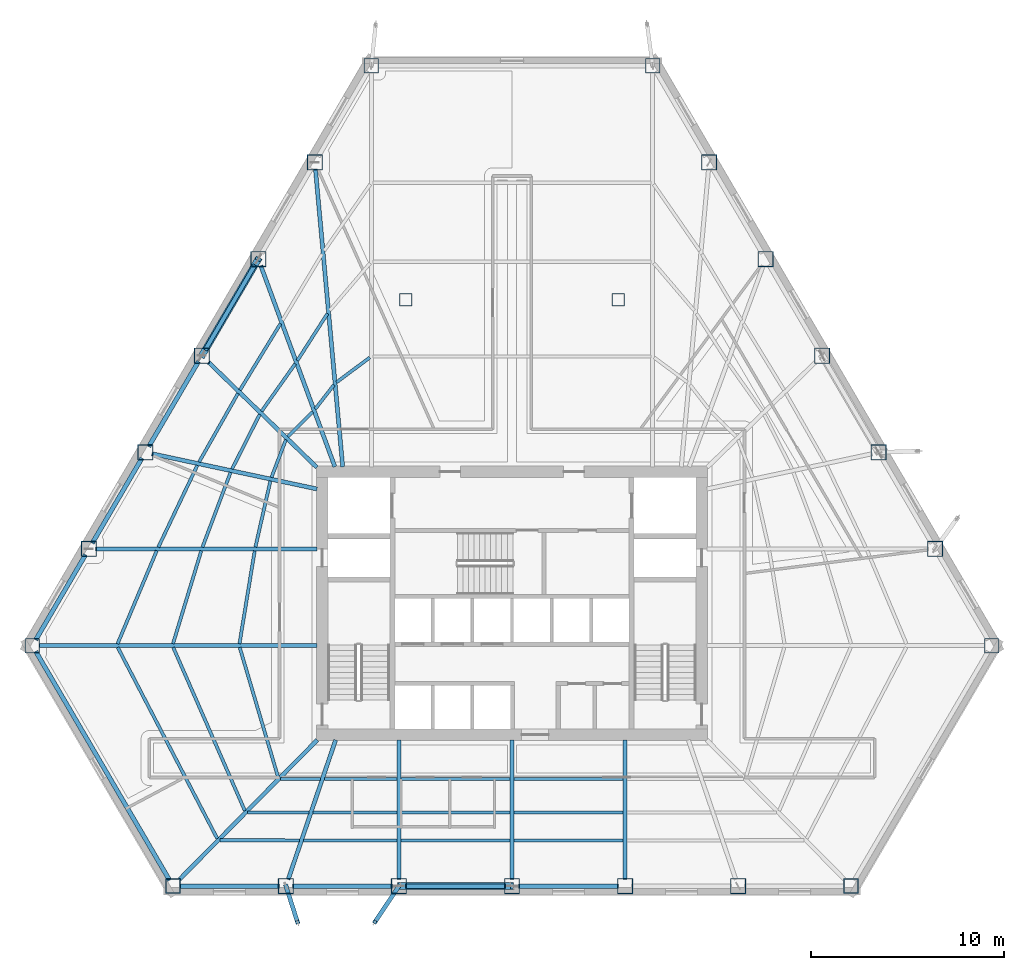
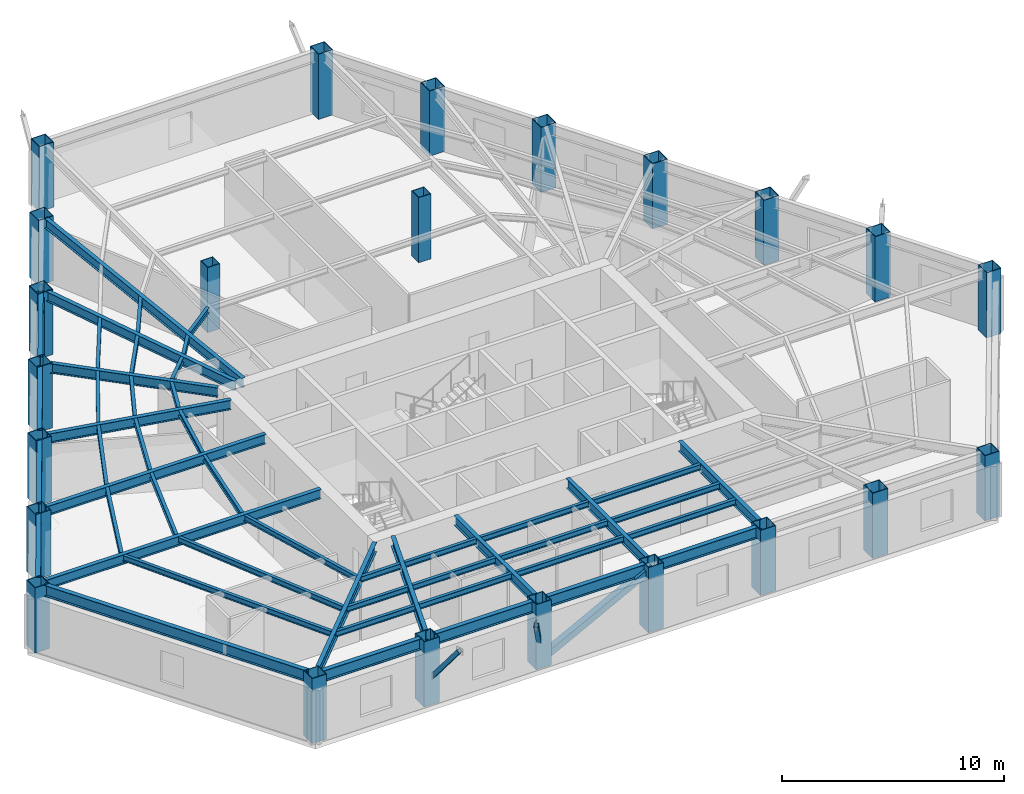
# One storey, part 1 of 13: 50 beams, 23 columns, 4 members.
"""IFC4 building model written with IfcOpenShell, lengths in metres."""

from ifc_helpers import new_model, si_unit, direction, frame, origin, origin_2d, place, context, subcontext, project, spatial, hollow_rectangle, i_section, extrude, material, material_profile, profile_set, type_object, element, save


model = new_model("IFC4")

# Units and contexts
model_context = context("Model", 3, precision=1e-05, world=origin(), true_north=direction((0.0, 1.0)))
body_context = subcontext(model_context, "Body", "Model", "MODEL_VIEW")
ifc_project = project(units=[si_unit("LENGTHUNIT", "METRE"), si_unit("AREAUNIT", "SQUARE_METRE"), si_unit("VOLUMEUNIT", "CUBIC_METRE"), si_unit("PLANEANGLEUNIT", "RADIAN"), si_unit("MASSUNIT", "GRAM", prefix="KILO")], contexts=[model_context])

# Site, building, storey
site_placement = place(None, origin())
site = spatial("IfcSite", under=ifc_project, at=site_placement, CompositionType="ELEMENT")
building_placement = place(site_placement, origin())
building = spatial("IfcBuilding", under=site, at=building_placement, Name="Kavelnor Concourse Tower", CompositionType="ELEMENT")
storey_placement = place(building_placement, frame((0.0, 0.0, 59.89990234375)))
storey = spatial("IfcBuildingStorey", under=building, at=storey_placement, Name="L15", CompositionType="ELEMENT", Elevation=59.89990234375)

# Columns
ifc_material = material(Name="Steel Grade 350", Category="steel")
ifc_material_profile_1 = material_profile(ifc_material, hollow_rectangle(XDim=0.760009765625, YDim=0.760009765625, WallThickness=0.034912109375, at=origin_2d()), Name="SHS 760x760x35")
ifc_profile_set_1 = profile_set([ifc_material_profile_1], Name="Steel Grade 350")
column_type_1 = type_object("IfcColumnType", Name="COL-FOLD-Z1", PredefinedType="COLUMN", material=ifc_profile_set_1)
for number, where, z_axis, x_axis, name in (
    (1, (30.7265625, 43.893798828125, 0.0), (0.0, 0.0, 1.0), (1.0, 0.0, 0.0), "L15 Perimeter Corner-Fold Column F0-B0"),
    (2, (13.199951171875, 13.91455078125, 0.0), (0.0, 0.0, 1.0), (1.0, 0.0, 0.0), "L15 Perimeter Corner-Fold Column F0-B6"),
    (3, (20.468017578125, 1.482421875, 0.0), (0.0, 0.0, 1.0), (1.0, 0.0, 0.0), "L15 Perimeter Corner-Fold Column F1-B0"),
    (4, (55.531982421875, 1.482421875, 0.0), (0.0, 0.0, 1.0), (1.0, 0.0, 0.0), "L15 Perimeter Corner-Fold Column F1-B6"),
    (5, (62.800048828125, 13.91455078125, 0.0), (0.0, 0.0, 1.0), (1.0, 0.0, 0.0), "L15 Perimeter Corner-Fold Column F2-B0"),
    (6, (45.2734375, 43.893798828125, 0.0), (0.0, 0.0, 1.0), (1.0, 0.0, 0.0), "L15 Perimeter Corner-Fold Column F2-B6"),
):
    element("IfcColumn", number, at=place(storey_placement, frame(where, z_axis=z_axis, x_axis=x_axis)), inside=storey, type_object=column_type_1, Name=name, PredefinedType="COLUMN", context=body_context, shape_type="SweptSolid", body=[
        extrude(hollow_rectangle(XDim=0.760009765625, YDim=0.760009765625, WallThickness=0.034912109375, at=origin_2d()), origin(), (0.0, 0.0, 1.0), 3.590087890625),
    ])
ifc_material_profile_2 = material_profile(ifc_material, hollow_rectangle(XDim=0.800048828125, YDim=0.800048828125, WallThickness=0.035888671875, at=origin_2d()), Name="SHS 800x800x36")
ifc_profile_set_2 = profile_set([ifc_material_profile_2], Name="Steel Grade 350")
column_type_2 = type_object("IfcColumnType", Name="COL-TUBE-Z1", PredefinedType="COLUMN", material=ifc_profile_set_2)
for number, where, z_axis, x_axis, name in (
    (7, (27.805419921875, 38.897216796875, 0.0), (0.0, 0.0, 1.0), (1.0, 0.0, 0.0), "L15 Perimeter Framed-Tube Column F0-B1"),
    (8, (24.884521484375, 33.900634765625, 0.0), (0.0, 0.0, 1.0), (1.0, 0.0, 0.0), "L15 Perimeter Framed-Tube Column F0-B2"),
    (9, (21.96337890625, 28.904296875, 0.0), (0.0, 0.0, 1.0), (1.0, 0.0, 0.0), "L15 Perimeter Framed-Tube Column F0-B3"),
    (10, (19.0419921875, 23.90771484375, 0.0), (0.0, 0.0, 1.0), (1.0, 0.0, 0.0), "L15 Perimeter Framed-Tube Column F0-B4"),
    (11, (16.12109375, 18.910888671875, 0.0), (0.0, 0.0, 1.0), (1.0, 0.0, 0.0), "L15 Perimeter Framed-Tube Column F0-B5"),
    (12, (26.31201171875, 1.482421875, 0.0), (0.0, 0.0, 1.0), (1.0, 0.0, 0.0), "L15 Perimeter Framed-Tube Column F1-B1"),
    (13, (32.156005859375, 1.482421875, 0.0), (0.0, 0.0, 1.0), (1.0, 0.0, 0.0), "L15 Perimeter Framed-Tube Column F1-B2"),
    (14, (38.0, 1.482421875, 0.0), (0.0, 0.0, 1.0), (1.0, 0.0, 0.0), "L15 Perimeter Framed-Tube Column F1-B3"),
    (15, (43.843994140625, 1.482421875, 0.0), (0.0, 0.0, 1.0), (1.0, 0.0, 0.0), "L15 Perimeter Framed-Tube Column F1-B4"),
    (16, (49.68798828125, 1.482421875, 0.0), (0.0, 0.0, 1.0), (1.0, 0.0, 0.0), "L15 Perimeter Framed-Tube Column F1-B5"),
    (17, (59.87890625, 18.910888671875, 0.0), (0.0, 0.0, 1.0), (1.0, 0.0, 0.0), "L15 Perimeter Framed-Tube Column F2-B1"),
    (18, (56.9580078125, 23.90771484375, 0.0), (0.0, 0.0, 1.0), (1.0, 0.0, 0.0), "L15 Perimeter Framed-Tube Column F2-B2"),
    (19, (54.03662109375, 28.904296875, 0.0), (0.0, 0.0, 1.0), (1.0, 0.0, 0.0), "L15 Perimeter Framed-Tube Column F2-B3"),
    (20, (51.115478515625, 33.900634765625, 0.0), (0.0, 0.0, 1.0), (1.0, 0.0, 0.0), "L15 Perimeter Framed-Tube Column F2-B4"),
    (21, (48.194580078125, 38.897216796875, 0.0), (0.0, 0.0, 1.0), (1.0, 0.0, 0.0), "L15 Perimeter Framed-Tube Column F2-B5"),
):
    element("IfcColumn", number, at=place(storey_placement, frame(where, z_axis=z_axis, x_axis=x_axis)), inside=storey, type_object=column_type_2, Name=name, PredefinedType="COLUMN", context=body_context, shape_type="SweptSolid", body=[
        extrude(hollow_rectangle(XDim=0.800048828125, YDim=0.800048828125, WallThickness=0.035888671875, at=origin_2d()), origin(), (0.0, 0.0, 1.0), 3.590087890625),
    ])
ifc_material_profile_3 = material_profile(ifc_material, hollow_rectangle(XDim=0.639892578125, YDim=0.639892578125, WallThickness=0.028076171875, at=origin_2d()), Name="SHS 640x640x28")
ifc_profile_set_3 = profile_set([ifc_material_profile_3], Name="Steel Grade 350")
column_type_3 = type_object("IfcColumnType", Name="COL-TUBE-Z3", PredefinedType="COLUMN", material=ifc_profile_set_3)
for number, where, z_axis, x_axis, name in (
    (22, (32.5, 31.800048828125, 0.0), (0.0, 0.0, 1.0), (1.0, 0.0, 0.0), "L15 North Interior Gravity Column BC-NW"),
    (23, (43.5, 31.800048828125, 0.0), (0.0, 0.0, 1.0), (1.0, 0.0, 0.0), "L15 North Interior Gravity Column BC-NE"),
):
    element("IfcColumn", number, at=place(storey_placement, frame(where, z_axis=z_axis, x_axis=x_axis)), inside=storey, type_object=column_type_3, Name=name, PredefinedType="COLUMN", context=body_context, shape_type="SweptSolid", body=[
        extrude(hollow_rectangle(XDim=0.639892578125, YDim=0.639892578125, WallThickness=0.028076171875, at=origin_2d()), origin(), (0.0, 0.0, 1.0), 3.590087890625),
    ])

# Beams
ifc_material_profile_4 = material_profile(ifc_material, i_section(OverallWidth=0.166015625, OverallDepth=0.306884765625, WebThickness=0.006591796875, FlangeThickness=0.01171875, at=origin_2d()), Name="310UB46")
ifc_profile_set_4 = profile_set([ifc_material_profile_4], Name="Steel Grade 350")
beam_type_1 = type_object("IfcBeamType", Name="BM-JOIST-310", PredefinedType="JOIST", material=ifc_profile_set_4)
beam_1_placement = place(storey_placement, frame((23.92138671875, 13.820068359375, 3.4365234375), z_axis=(0.283688073885, -0.958916616154, 0.0), x_axis=(0.958916616154, 0.283688073885, 0.0)))
element("IfcBeam", 24, at=beam_1_placement, inside=storey, type_object=beam_type_1, Name="L15 Secondary Composite Joist 01-1", PredefinedType="JOIST", context=body_context, shape_type="SweptSolid", body=[
    extrude(i_section(OverallWidth=0.166015625, OverallDepth=0.306884765625, WebThickness=0.006591796875, FlangeThickness=0.01171875, at=origin_2d()), origin(), (0.0, 0.0, 1.0), 6.999267578125),
])
beam_2_placement = place(storey_placement, frame((20.48193359375, 13.82421875, 3.4365234375), z_axis=(0.401848798596, -0.91570603529, 0.0), x_axis=(0.91570603529, 0.401848798596, 0.0)))
element("IfcBeam", 25, at=beam_2_placement, inside=storey, type_object=beam_type_1, Name="L15 Secondary Composite Joist 01-2", PredefinedType="JOIST", context=body_context, shape_type="SweptSolid", body=[
    extrude(i_section(OverallWidth=0.166015625, OverallDepth=0.306884765625, WebThickness=0.006591796875, FlangeThickness=0.01171875, at=origin_2d()), origin(), (0.0, 0.0, 1.0), 9.224365234375),
])
beam_3_placement = place(storey_placement, frame((17.61181640625, 13.8271484375, 3.4365234375), z_axis=(0.461735279655, -0.887017774073, 0.0), x_axis=(0.887017774073, 0.461735279655, 0.0)))
element("IfcBeam", 26, at=beam_3_placement, inside=storey, type_object=beam_type_1, Name="L15 Secondary Composite Joist 01-3", PredefinedType="JOIST", context=body_context, shape_type="SweptSolid", body=[
    extrude(i_section(OverallWidth=0.166015625, OverallDepth=0.306884765625, WebThickness=0.006591796875, FlangeThickness=0.01171875, at=origin_2d()), origin(), (0.0, 0.0, 1.0), 11.1513671875),
])
beam_4_placement = place(storey_placement, frame((26.033203125, 7.01416015625, 3.4365234375), z_axis=(0.999998208623, 0.001892815727, 0.0), x_axis=(-0.001892815727, 0.999998208623, 0.0)))
element("IfcBeam", 27, at=beam_4_placement, inside=storey, type_object=beam_type_1, Name="L15 Secondary Composite Joist 02-1", PredefinedType="JOIST", context=body_context, shape_type="SweptSolid", body=[
    extrude(i_section(OverallWidth=0.166015625, OverallDepth=0.306884765625, WebThickness=0.006591796875, FlangeThickness=0.01171875, at=origin_2d()), origin(), (0.0, 0.0, 1.0), 2.063720703125),
])
beam_5_placement = place(storey_placement, frame((24.326904296875, 5.287353515625, 3.4365234375), z_axis=(0.999999988218, -0.000153503721, 0.0), x_axis=(0.000153503721, 0.999999988218, 0.0)))
element("IfcBeam", 28, at=beam_5_placement, inside=storey, type_object=beam_type_1, Name="L15 Secondary Composite Joist 02-2", PredefinedType="JOIST", context=body_context, shape_type="SweptSolid", body=[
    extrude(i_section(OverallWidth=0.166015625, OverallDepth=0.306884765625, WebThickness=0.006591796875, FlangeThickness=0.01171875, at=origin_2d()), origin(), (0.0, 0.0, 1.0), 3.180908203125),
])
beam_6_placement = place(storey_placement, frame((22.90478515625, 3.848388671875, 3.4365234375), z_axis=(0.999999490696, -0.001009260944, 0.0), x_axis=(0.001009260944, 0.999999490696, 0.0)))
element("IfcBeam", 29, at=beam_6_placement, inside=storey, type_object=beam_type_1, Name="L15 Secondary Composite Joist 02-3", PredefinedType="JOIST", context=body_context, shape_type="SweptSolid", body=[
    extrude(i_section(OverallWidth=0.166015625, OverallDepth=0.306884765625, WebThickness=0.006591796875, FlangeThickness=0.01171875, at=origin_2d()), origin(), (0.0, 0.0, 1.0), 4.1123046875),
])
beam_7_placement = place(storey_placement, frame((28.2939453125, 7.018310546875, 3.4365234375), z_axis=(0.999999981065, 0.000194603006, 0.0), x_axis=(-0.000194603006, 0.999999981065, 0.0)))
element("IfcBeam", 30, at=beam_7_placement, inside=storey, type_object=beam_type_1, Name="L15 Secondary Composite Joist 03-1", PredefinedType="JOIST", context=body_context, shape_type="SweptSolid", body=[
    extrude(i_section(OverallWidth=0.166015625, OverallDepth=0.306884765625, WebThickness=0.006591796875, FlangeThickness=0.01171875, at=origin_2d()), origin(), (0.0, 0.0, 1.0), 3.763671875),
])
beam_8_placement = place(storey_placement, frame((27.704833984375, 5.286865234375, 3.4365234375), z_axis=(1.0, 0.0, 0.0), x_axis=(0.0, 1.0, 0.0)))
element("IfcBeam", 31, at=beam_8_placement, inside=storey, type_object=beam_type_1, Name="L15 Secondary Composite Joist 03-2", PredefinedType="JOIST", context=body_context, shape_type="SweptSolid", body=[
    extrude(i_section(OverallWidth=0.166015625, OverallDepth=0.306884765625, WebThickness=0.006591796875, FlangeThickness=0.01171875, at=origin_2d()), origin(), (0.0, 0.0, 1.0), 4.352783203125),
])
beam_9_placement = place(storey_placement, frame((27.214111328125, 3.84423828125, 3.4365234375), z_axis=(0.999999979674, -0.000201623062, 0.0), x_axis=(0.000201623062, 0.999999979674, 0.0)))
element("IfcBeam", 32, at=beam_9_placement, inside=storey, type_object=beam_type_1, Name="L15 Secondary Composite Joist 03-3", PredefinedType="JOIST", context=body_context, shape_type="SweptSolid", body=[
    extrude(i_section(OverallWidth=0.166015625, OverallDepth=0.306884765625, WebThickness=0.006591796875, FlangeThickness=0.01171875, at=origin_2d()), origin(), (0.0, 0.0, 1.0), 4.843505859375),
])
for number, where, z_axis, x_axis, name in (
    (33, (32.25439453125, 7.01904296875, 3.4365234375), (1.0, 0.0, 0.0), (0.0, 1.0, 0.0), "L15 Secondary Composite Joist 04-1"),
    (34, (32.25439453125, 5.286865234375, 3.4365234375), (1.0, 0.0, 0.0), (0.0, 1.0, 0.0), "L15 Secondary Composite Joist 04-2"),
    (35, (32.25439453125, 3.84326171875, 3.4365234375), (1.0, 0.0, 0.0), (0.0, 1.0, 0.0), "L15 Secondary Composite Joist 04-3"),
    (36, (38.098388671875, 7.01904296875, 3.4365234375), (1.0, 0.0, 0.0), (0.0, 1.0, 0.0), "L15 Secondary Composite Joist 05-1"),
    (37, (38.098388671875, 5.286865234375, 3.4365234375), (1.0, 0.0, 0.0), (0.0, 1.0, 0.0), "L15 Secondary Composite Joist 05-2"),
    (38, (38.098388671875, 3.84326171875, 3.4365234375), (1.0, 0.0, 0.0), (0.0, 1.0, 0.0), "L15 Secondary Composite Joist 05-3"),
):
    element("IfcBeam", number, at=place(storey_placement, frame(where, z_axis=z_axis, x_axis=x_axis)), inside=storey, type_object=beam_type_1, Name=name, PredefinedType="JOIST", context=body_context, shape_type="SweptSolid", body=[
        extrude(i_section(OverallWidth=0.166015625, OverallDepth=0.306884765625, WebThickness=0.006591796875, FlangeThickness=0.01171875, at=origin_2d()), origin(), (0.0, 0.0, 1.0), 5.647216796875),
    ])
beam_10_placement = place(storey_placement, frame((30.647705078125, 28.811279296875, 3.4365234375), z_axis=(-0.80155619785, -0.597919444146, 0.0), x_axis=(0.597919444146, -0.80155619785, 0.0)))
element("IfcBeam", 39, at=beam_10_placement, inside=storey, type_object=beam_type_1, Name="L15 Secondary Composite Joist 16-1", PredefinedType="JOIST", context=body_context, shape_type="SweptSolid", body=[
    extrude(i_section(OverallWidth=0.166015625, OverallDepth=0.306884765625, WebThickness=0.006591796875, FlangeThickness=0.01171875, at=origin_2d()), origin(), (0.0, 0.0, 1.0), 2.142333984375),
])
beam_11_placement = place(storey_placement, frame((28.791259765625, 27.393310546875, 3.4365234375), z_axis=(-0.612455179326, -0.790505315173, 0.0), x_axis=(0.790505315173, -0.612455179326, 0.0)))
element("IfcBeam", 40, at=beam_11_placement, inside=storey, type_object=beam_type_1, Name="L15 Secondary Composite Joist 17-1", PredefinedType="JOIST", context=body_context, shape_type="SweptSolid", body=[
    extrude(i_section(OverallWidth=0.166015625, OverallDepth=0.306884765625, WebThickness=0.006591796875, FlangeThickness=0.01171875, at=origin_2d()), origin(), (0.0, 0.0, 1.0), 1.5712890625),
])
beam_12_placement = place(storey_placement, frame((28.460205078125, 31.08349609375, 3.4365234375), z_axis=(-0.539334286911, -0.842091756855, 0.0), x_axis=(0.842091756855, -0.539334286911, 0.0)))
element("IfcBeam", 41, at=beam_12_placement, inside=storey, type_object=beam_type_1, Name="L15 Secondary Composite Joist 17-2", PredefinedType="JOIST", context=body_context, shape_type="SweptSolid", body=[
    extrude(i_section(OverallWidth=0.166015625, OverallDepth=0.306884765625, WebThickness=0.006591796875, FlangeThickness=0.01171875, at=origin_2d()), origin(), (0.0, 0.0, 1.0), 2.888427734375),
])
beam_13_placement = place(storey_placement, frame((27.69873046875, 26.003662109375, 3.4365234375), z_axis=(-0.707979461458, -0.706233022559, 0.0), x_axis=(0.706233022559, -0.707979461458, 0.0)))
element("IfcBeam", 42, at=beam_13_placement, inside=storey, type_object=beam_type_1, Name="L15 Secondary Composite Joist 18-1", PredefinedType="JOIST", context=body_context, shape_type="SweptSolid", body=[
    extrude(i_section(OverallWidth=0.166015625, OverallDepth=0.306884765625, WebThickness=0.006591796875, FlangeThickness=0.01171875, at=origin_2d()), origin(), (0.0, 0.0, 1.0), 1.8173828125),
])
beam_14_placement = place(storey_placement, frame((26.792236328125, 28.48779296875, 3.4365234375), z_axis=(-0.577643036507, -0.81628948442, 0.0), x_axis=(0.81628948442, -0.577643036507, 0.0)))
element("IfcBeam", 43, at=beam_14_placement, inside=storey, type_object=beam_type_1, Name="L15 Secondary Composite Joist 18-2", PredefinedType="JOIST", context=body_context, shape_type="SweptSolid", body=[
    extrude(i_section(OverallWidth=0.166015625, OverallDepth=0.306884765625, WebThickness=0.006591796875, FlangeThickness=0.01171875, at=origin_2d()), origin(), (0.0, 0.0, 1.0), 3.004638671875),
])
beam_15_placement = place(storey_placement, frame((26.03173828125, 30.563232421875, 3.4365234375), z_axis=(-0.521182756424, -0.853445097477, 0.0), x_axis=(0.853445097477, -0.521182756424, 0.0)))
element("IfcBeam", 44, at=beam_15_placement, inside=storey, type_object=beam_type_1, Name="L15 Secondary Composite Joist 18-3", PredefinedType="JOIST", context=body_context, shape_type="SweptSolid", body=[
    extrude(i_section(OverallWidth=0.166015625, OverallDepth=0.306884765625, WebThickness=0.006591796875, FlangeThickness=0.01171875, at=origin_2d()), origin(), (0.0, 0.0, 1.0), 4.028076171875),
])
beam_16_placement = place(storey_placement, frame((26.30712890625, 24.55859375, 3.4365234375), z_axis=(-0.356965881826, -0.934117422604, 0.0), x_axis=(0.934117422604, -0.356965881826, 0.0)))
element("IfcBeam", 45, at=beam_16_placement, inside=storey, type_object=beam_type_1, Name="L15 Secondary Composite Joist 19-1", PredefinedType="JOIST", context=body_context, shape_type="SweptSolid", body=[
    extrude(i_section(OverallWidth=0.166015625, OverallDepth=0.306884765625, WebThickness=0.006591796875, FlangeThickness=0.01171875, at=origin_2d()), origin(), (0.0, 0.0, 1.0), 2.081298828125),
])
beam_17_placement = place(storey_placement, frame((24.955078125, 25.866943359375, 3.4365234375), z_axis=(-0.452395721461, -0.891817308199, 0.0), x_axis=(0.891817308199, -0.452395721461, 0.0)))
element("IfcBeam", 46, at=beam_17_placement, inside=storey, type_object=beam_type_1, Name="L15 Secondary Composite Joist 19-2", PredefinedType="JOIST", context=body_context, shape_type="SweptSolid", body=[
    extrude(i_section(OverallWidth=0.166015625, OverallDepth=0.306884765625, WebThickness=0.006591796875, FlangeThickness=0.01171875, at=origin_2d()), origin(), (0.0, 0.0, 1.0), 3.161376953125),
])
beam_18_placement = place(storey_placement, frame((23.83251953125, 26.955810546875, 3.4365234375), z_axis=(-0.493298169198, -0.869860285486, 0.0), x_axis=(0.869860285486, -0.493298169198, 0.0)))
element("IfcBeam", 47, at=beam_18_placement, inside=storey, type_object=beam_type_1, Name="L15 Secondary Composite Joist 19-3", PredefinedType="JOIST", context=body_context, shape_type="SweptSolid", body=[
    extrude(i_section(OverallWidth=0.166015625, OverallDepth=0.306884765625, WebThickness=0.006591796875, FlangeThickness=0.01171875, at=origin_2d()), origin(), (0.0, 0.0, 1.0), 4.076171875),
])
beam_19_placement = place(storey_placement, frame((25.507080078125, 22.42626953125, 3.4365234375), z_axis=(-0.220763156499, -0.975327446929, 0.0), x_axis=(0.975327446929, -0.220763156499, 0.0)))
element("IfcBeam", 48, at=beam_19_placement, inside=storey, type_object=beam_type_1, Name="L15 Secondary Composite Joist 20-1", PredefinedType="JOIST", context=body_context, shape_type="SweptSolid", body=[
    extrude(i_section(OverallWidth=0.166015625, OverallDepth=0.306884765625, WebThickness=0.006591796875, FlangeThickness=0.01171875, at=origin_2d()), origin(), (0.0, 0.0, 1.0), 3.505615234375),
])
beam_20_placement = place(storey_placement, frame((23.44580078125, 22.86767578125, 3.4365234375), z_axis=(-0.351285488189, -0.936268394098, 0.0), x_axis=(0.936268394098, -0.351285488189, 0.0)))
element("IfcBeam", 49, at=beam_20_placement, inside=storey, type_object=beam_type_1, Name="L15 Secondary Composite Joist 20-2", PredefinedType="JOIST", context=body_context, shape_type="SweptSolid", body=[
    extrude(i_section(OverallWidth=0.166015625, OverallDepth=0.306884765625, WebThickness=0.006591796875, FlangeThickness=0.01171875, at=origin_2d()), origin(), (0.0, 0.0, 1.0), 4.12744140625),
])
beam_21_placement = place(storey_placement, frame((21.730712890625, 23.235595703125, 3.4365234375), z_axis=(-0.430254691254, -0.902707538827, 0.0), x_axis=(0.902707538827, -0.430254691254, 0.0)))
element("IfcBeam", 50, at=beam_21_placement, inside=storey, type_object=beam_type_1, Name="L15 Secondary Composite Joist 20-3", PredefinedType="JOIST", context=body_context, shape_type="SweptSolid", body=[
    extrude(i_section(OverallWidth=0.166015625, OverallDepth=0.306884765625, WebThickness=0.006591796875, FlangeThickness=0.01171875, at=origin_2d()), origin(), (0.0, 0.0, 1.0), 4.692138671875),
])
beam_22_placement = place(storey_placement, frame((24.695556640625, 18.813720703125, 3.4365234375), z_axis=(-0.161558755717, -0.98686309509, 0.0), x_axis=(0.98686309509, -0.161558755717, 0.0)))
element("IfcBeam", 51, at=beam_22_placement, inside=storey, type_object=beam_type_1, Name="L15 Secondary Composite Joist 21-1", PredefinedType="JOIST", context=body_context, shape_type="SweptSolid", body=[
    extrude(i_section(OverallWidth=0.166015625, OverallDepth=0.306884765625, WebThickness=0.006591796875, FlangeThickness=0.01171875, at=origin_2d()), origin(), (0.0, 0.0, 1.0), 4.865966796875),
])
beam_23_placement = place(storey_placement, frame((21.9326171875, 18.81689453125, 3.4365234375), z_axis=(-0.290858092151, -0.956766204582, 0.0), x_axis=(0.956766204582, -0.290858092151, 0.0)))
element("IfcBeam", 52, at=beam_23_placement, inside=storey, type_object=beam_type_1, Name="L15 Secondary Composite Joist 21-2", PredefinedType="JOIST", context=body_context, shape_type="SweptSolid", body=[
    extrude(i_section(OverallWidth=0.166015625, OverallDepth=0.306884765625, WebThickness=0.006591796875, FlangeThickness=0.01171875, at=origin_2d()), origin(), (0.0, 0.0, 1.0), 5.025390625),
])
beam_24_placement = place(storey_placement, frame((19.63134765625, 18.8203125, 3.4365234375), z_axis=(-0.387977607449, -0.921668799579, 0.0), x_axis=(0.921668799579, -0.387977607449, 0.0)))
element("IfcBeam", 53, at=beam_24_placement, inside=storey, type_object=beam_type_1, Name="L15 Secondary Composite Joist 21-3", PredefinedType="JOIST", context=body_context, shape_type="SweptSolid", body=[
    extrude(i_section(OverallWidth=0.166015625, OverallDepth=0.306884765625, WebThickness=0.006591796875, FlangeThickness=0.01171875, at=origin_2d()), origin(), (0.0, 0.0, 1.0), 5.22412109375),
])
ifc_material_profile_5 = material_profile(ifc_material, i_section(OverallWidth=0.208984375, OverallDepth=0.528076171875, WebThickness=0.009521484375, FlangeThickness=0.01318359375, at=origin_2d()), Name="530UB82")
ifc_profile_set_5 = profile_set([ifc_material_profile_5], Name="Steel Grade 350")
beam_type_2 = type_object("IfcBeamType", Name="BM-PRIMARY-530", PredefinedType="BEAM", material=ifc_profile_set_5)
beam_25_placement = place(storey_placement, frame((29.246337890625, 23.16015625, 3.326171875), z_axis=(-0.091174988276, 0.995834886672, 0.0), x_axis=(-0.995834886672, -0.091174988276, 0.0)))
element("IfcBeam", 54, at=beam_25_placement, inside=storey, type_object=beam_type_2, Name="L15 Primary Floor Girder F0-B1", PredefinedType="BEAM", context=body_context, shape_type="SweptSolid", body=[
    extrude(i_section(OverallWidth=0.208984375, OverallDepth=0.528076171875, WebThickness=0.009521484375, FlangeThickness=0.01318359375, at=origin_2d()), origin(), (0.0, 0.0, 1.0), 15.461181640625),
])
beam_26_placement = place(storey_placement, frame((28.841064453125, 23.16259765625, 3.326171875), z_axis=(-0.34575641905, 0.938324303578, 0.0), x_axis=(-0.938324303578, -0.34575641905, 0.0)))
element("IfcBeam", 55, at=beam_26_placement, inside=storey, type_object=beam_type_2, Name="L15 Primary Floor Girder F0-B2", PredefinedType="BEAM", context=body_context, shape_type="SweptSolid", body=[
    extrude(i_section(OverallWidth=0.208984375, OverallDepth=0.528076171875, WebThickness=0.009521484375, FlangeThickness=0.01318359375, at=origin_2d()), origin(), (0.0, 0.0, 1.0), 11.078857421875),
])
beam_27_placement = place(storey_placement, frame((27.90869140625, 23.129150390625, 3.326171875), z_axis=(-0.717300391038, 0.696764055485, 0.0), x_axis=(-0.696764055485, -0.717300391038, 0.0)))
element("IfcBeam", 56, at=beam_27_placement, inside=storey, type_object=beam_type_2, Name="L15 Primary Floor Girder F0-B3", PredefinedType="BEAM", context=body_context, shape_type="SweptSolid", body=[
    extrude(i_section(OverallWidth=0.208984375, OverallDepth=0.528076171875, WebThickness=0.009521484375, FlangeThickness=0.01318359375, at=origin_2d()), origin(), (0.0, 0.0, 1.0), 7.798583984375),
])
beam_28_placement = place(storey_placement, frame((27.919189453125, 22.011962890625, 3.326171875), z_axis=(-0.977952791585, 0.208826093753, 0.0), x_axis=(-0.208826093753, -0.977952791585, 0.0)))
element("IfcBeam", 57, at=beam_28_placement, inside=storey, type_object=beam_type_2, Name="L15 Primary Floor Girder F0-B4", PredefinedType="BEAM", context=body_context, shape_type="SweptSolid", body=[
    extrude(i_section(OverallWidth=0.208984375, OverallDepth=0.528076171875, WebThickness=0.009521484375, FlangeThickness=0.01318359375, at=origin_2d()), origin(), (0.0, 0.0, 1.0), 8.728515625),
])
beam_29_placement = place(storey_placement, frame((27.919921875, 18.910888671875, 3.326171875), z_axis=(-1.0, 0.0, 0.0), x_axis=(0.0, -1.0, 0.0)))
element("IfcBeam", 58, at=beam_29_placement, inside=storey, type_object=beam_type_2, Name="L15 Primary Floor Girder F0-B5", PredefinedType="BEAM", context=body_context, shape_type="SweptSolid", body=[
    extrude(i_section(OverallWidth=0.208984375, OverallDepth=0.528076171875, WebThickness=0.009521484375, FlangeThickness=0.01318359375, at=origin_2d()), origin(), (0.0, 0.0, 1.0), 11.458984375),
])
beam_30_placement = place(storey_placement, frame((27.919921875, 13.91455078125, 3.326171875), z_axis=(-1.0, 0.0, 0.0), x_axis=(0.0, -1.0, 0.0)))
element("IfcBeam", 59, at=beam_30_placement, inside=storey, type_object=beam_type_2, Name="L15 Primary Floor Girder F0-B6", PredefinedType="BEAM", context=body_context, shape_type="SweptSolid", body=[
    extrude(i_section(OverallWidth=0.208984375, OverallDepth=0.528076171875, WebThickness=0.009521484375, FlangeThickness=0.01318359375, at=origin_2d()), origin(), (0.0, 0.0, 1.0), 14.380126953125),
])
beam_31_placement = place(storey_placement, frame((27.92578125, 9.028564453125, 3.326171875), z_axis=(-0.702931098161, -0.711257949859, 0.0), x_axis=(0.711257949859, -0.702931098161, 0.0)))
element("IfcBeam", 60, at=beam_31_placement, inside=storey, type_object=beam_type_2, Name="L15 Primary Floor Girder F1-B0", PredefinedType="BEAM", context=body_context, shape_type="SweptSolid", body=[
    extrude(i_section(OverallWidth=0.208984375, OverallDepth=0.528076171875, WebThickness=0.009521484375, FlangeThickness=0.01318359375, at=origin_2d()), origin(), (0.0, 0.0, 1.0), 10.115234375),
])
beam_32_placement = place(storey_placement, frame((28.882568359375, 9.037841796875, 3.326171875), z_axis=(-0.32208539722, -0.946710619407, 0.0), x_axis=(0.946710619407, -0.32208539722, 0.0)))
element("IfcBeam", 61, at=beam_32_placement, inside=storey, type_object=beam_type_2, Name="L15 Primary Floor Girder F1-B1", PredefinedType="BEAM", context=body_context, shape_type="SweptSolid", body=[
    extrude(i_section(OverallWidth=0.208984375, OverallDepth=0.528076171875, WebThickness=0.009521484375, FlangeThickness=0.01318359375, at=origin_2d()), origin(), (0.0, 0.0, 1.0), 7.619384765625),
])
for number, where, z_axis, x_axis, name in (
    (62, (32.156005859375, 9.0400390625, 3.326171875), (0.0, -1.0, 0.0), (1.0, 0.0, 0.0), "L15 Primary Floor Girder F1-B2"),
    (63, (38.0, 9.0400390625, 3.326171875), (0.0, -1.0, 0.0), (1.0, 0.0, 0.0), "L15 Primary Floor Girder F1-B3"),
    (64, (43.843994140625, 9.0400390625, 3.326171875), (0.0, -1.0, 0.0), (1.0, 0.0, 0.0), "L15 Primary Floor Girder F1-B4"),
):
    element("IfcBeam", number, at=place(storey_placement, frame(where, z_axis=z_axis, x_axis=x_axis)), inside=storey, type_object=beam_type_2, Name=name, PredefinedType="BEAM", context=body_context, shape_type="SweptSolid", body=[
        extrude(i_section(OverallWidth=0.208984375, OverallDepth=0.528076171875, WebThickness=0.009521484375, FlangeThickness=0.01318359375, at=origin_2d()), origin(), (0.0, 0.0, 1.0), 7.217529296875),
    ])
ifc_material_profile_6 = material_profile(ifc_material, i_section(OverallWidth=0.22900390625, OverallDepth=0.612060546875, WebThickness=0.011962890625, FlangeThickness=0.01953125, at=origin_2d()), Name="610UB125")
ifc_profile_set_6 = profile_set([ifc_material_profile_6], Name="Steel Grade 350")
beam_type_3 = type_object("IfcBeamType", Name="BM-SPANDREL-Z1", PredefinedType="SPANDREL", material=ifc_profile_set_6)
beam_33_placement = place(storey_placement, frame((24.710205078125, 33.602783203125, 3.2841796875), z_axis=(-0.504686703063, -0.863302572538, 0.0), x_axis=(0.863302572538, -0.504686703063, 0.0)))
element("IfcBeam", 65, at=beam_33_placement, inside=storey, type_object=beam_type_3, Name="L15 Perimeter Tube Spandrel Beam F0-B2", PredefinedType="SPANDREL", context=body_context, shape_type="SweptSolid", body=[
    extrude(i_section(OverallWidth=0.22900390625, OverallDepth=0.612060546875, WebThickness=0.011962890625, FlangeThickness=0.01953125, at=origin_2d()), origin(), (0.0, 0.0, 1.0), 5.09765625),
])
beam_34_placement = place(storey_placement, frame((21.789306640625, 28.6064453125, 3.2841796875), z_axis=(-0.504701529117, -0.863293905056, 0.0), x_axis=(0.863293905056, -0.504701529117, 0.0)))
element("IfcBeam", 66, at=beam_34_placement, inside=storey, type_object=beam_type_3, Name="L15 Perimeter Tube Spandrel Beam F0-B3", PredefinedType="SPANDREL", context=body_context, shape_type="SweptSolid", body=[
    extrude(i_section(OverallWidth=0.22900390625, OverallDepth=0.612060546875, WebThickness=0.011962890625, FlangeThickness=0.01953125, at=origin_2d()), origin(), (0.0, 0.0, 1.0), 5.09814453125),
])
for number, where, z_axis, x_axis, name in (
    (67, (18.867919921875, 23.60986328125, 3.2841796875), (-0.504665837328, -0.863314770309, 0.0), (0.863314770309, -0.504665837328, 0.0), "L15 Perimeter Tube Spandrel Beam F0-B4"),
    (68, (15.947021484375, 18.61328125, 3.2841796875), (-0.504722395318, -0.863281705855, 0.0), (0.863281705855, -0.504722395318, 0.0), "L15 Perimeter Tube Spandrel Beam F0-B5"),
):
    element("IfcBeam", number, at=place(storey_placement, frame(where, z_axis=z_axis, x_axis=x_axis)), inside=storey, type_object=beam_type_3, Name=name, PredefinedType="SPANDREL", context=body_context, shape_type="SweptSolid", body=[
        extrude(i_section(OverallWidth=0.22900390625, OverallDepth=0.612060546875, WebThickness=0.011962890625, FlangeThickness=0.01953125, at=origin_2d()), origin(), (0.0, 0.0, 1.0), 5.097900390625),
    ])
for number, where, z_axis, x_axis, name in (
    (69, (20.81298828125, 1.482421875, 3.2841796875), (1.0, 0.0, 0.0), (0.0, 1.0, 0.0), "L15 Perimeter Tube Spandrel Beam F1-B0"),
    (70, (26.656982421875, 1.482421875, 3.2841796875), (1.0, 0.0, 0.0), (0.0, 1.0, 0.0), "L15 Perimeter Tube Spandrel Beam F1-B1"),
    (71, (32.5009765625, 1.482421875, 3.2841796875), (1.0, 0.0, 0.0), (0.0, 1.0, 0.0), "L15 Perimeter Tube Spandrel Beam F1-B2"),
    (72, (38.344970703125, 1.482421875, 3.2841796875), (1.0, 0.0, 0.0), (0.0, 1.0, 0.0), "L15 Perimeter Tube Spandrel Beam F1-B3"),
):
    element("IfcBeam", number, at=place(storey_placement, frame(where, z_axis=z_axis, x_axis=x_axis)), inside=storey, type_object=beam_type_3, Name=name, PredefinedType="SPANDREL", context=body_context, shape_type="SweptSolid", body=[
        extrude(i_section(OverallWidth=0.22900390625, OverallDepth=0.612060546875, WebThickness=0.011962890625, FlangeThickness=0.01953125, at=origin_2d()), origin(), (0.0, 0.0, 1.0), 5.154052734375),
    ])
beam_35_placement = place(storey_placement, frame((13.3740234375, 13.61669921875, 3.2841796875), z_axis=(0.504705570617, -0.863291542289, 0.0), x_axis=(0.863291542289, 0.504705570617, 0.0)))
element("IfcBeam", 73, at=beam_35_placement, inside=storey, type_object=beam_type_3, Name="L15 Chamfer Facet Spandrel Beam C1", PredefinedType="SPANDREL", context=body_context, shape_type="SweptSolid", body=[
    extrude(i_section(OverallWidth=0.22900390625, OverallDepth=0.612060546875, WebThickness=0.011962890625, FlangeThickness=0.01953125, at=origin_2d()), origin(), (0.0, 0.0, 1.0), 13.710693359375),
])

# Members
ifc_material_profile_7 = material_profile(ifc_material, hollow_rectangle(XDim=0.219970703125, YDim=0.219970703125, WallThickness=0.013916015625, at=origin_2d()), Name="SHS 220x220x14")
ifc_profile_set_7 = profile_set([ifc_material_profile_7], Name="Steel Grade 350")
member_type_1 = type_object("IfcMemberType", Name="MBR-BALC-STRUT-220", PredefinedType="STRUT", material=ifc_profile_set_7)
member_1_placement = place(storey_placement, frame((26.31201171875, 1.482421875, 1.050048828125), z_axis=(0.183533731226, -0.573570967624, 0.798330579774), x_axis=(0.952428474788, 0.304762203059, 0.0)))
element("IfcMember", 74, at=member_1_placement, inside=storey, type_object=member_type_1, Name="L15 Tree Balcony Raking Knee Strut 1-A", PredefinedType="STRUT", context=body_context, shape_type="SweptSolid", body=[
    extrude(hollow_rectangle(XDim=0.219970703125, YDim=0.219970703125, WallThickness=0.013916015625, at=origin_2d()), origin(), (0.0, 0.0, 1.0), 3.262939453125),
])
member_2_placement = place(storey_placement, frame((32.156005859375, 1.482421875, 1.050048828125), z_axis=(-0.362427694745, -0.541936000024, 0.758255588809), x_axis=(0.83124448507, -0.555907012045, 0.0)))
element("IfcMember", 75, at=member_2_placement, inside=storey, type_object=member_type_1, Name="L15 Tree Balcony Raking Knee Strut 1-B", PredefinedType="STRUT", context=body_context, shape_type="SweptSolid", body=[
    extrude(hollow_rectangle(XDim=0.219970703125, YDim=0.219970703125, WallThickness=0.013916015625, at=origin_2d()), origin(), (0.0, 0.0, 1.0), 3.435546875),
])
ifc_material_profile_8 = material_profile(ifc_material, hollow_rectangle(XDim=0.35009765625, YDim=0.35009765625, WallThickness=0.02001953125, at=origin_2d()), Name="SHS 350x350x20")
ifc_profile_set_8 = profile_set([ifc_material_profile_8], Name="Steel Grade 350")
member_type_2 = type_object("IfcMemberType", Name="MBR-TUBE-DIAG-Z1", PredefinedType="BRACE", material=ifc_profile_set_8)
member_3_placement = place(storey_placement, frame((21.96337890625, 28.904296875, 0.22021484375), z_axis=(0.446070348061, 0.762961109324, 0.467879888689), x_axis=(-0.863281241919, 0.504723188838, 0.0)))
element("IfcMember", 76, at=member_3_placement, inside=storey, type_object=member_type_2, Name="L15 Framed-Tube Bracing Diagonal F0-B2", PredefinedType="BRACE", context=body_context, shape_type="SweptSolid", body=[
    extrude(hollow_rectangle(XDim=0.35009765625, YDim=0.35009765625, WallThickness=0.02001953125, at=origin_2d()), origin(), (0.0, 0.0, 1.0), 6.548583984375),
])
member_4_placement = place(storey_placement, frame((32.156005859375, 1.482421875, 0.22021484375), z_axis=(0.88565549383, 0.0, 0.46434291881), x_axis=(0.0, 1.0, 0.0)))
element("IfcMember", 77, at=member_4_placement, inside=storey, type_object=member_type_2, Name="L15 Framed-Tube Bracing Diagonal F1-B2", PredefinedType="BRACE", context=body_context, shape_type="SweptSolid", body=[
    extrude(hollow_rectangle(XDim=0.35009765625, YDim=0.35009765625, WallThickness=0.02001953125, at=origin_2d()), origin(), (0.0, 0.0, 1.0), 6.598388671875),
])

save(model, "model.ifc")
